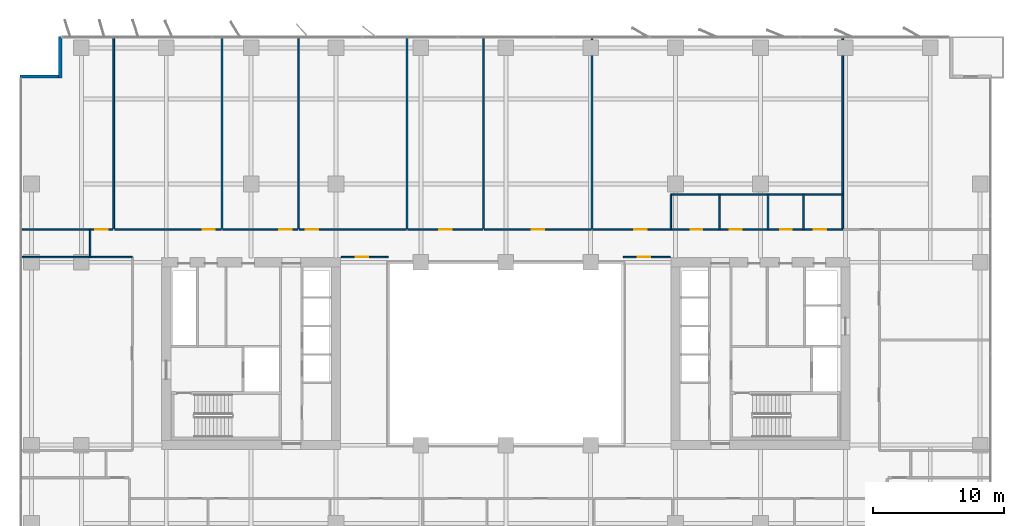
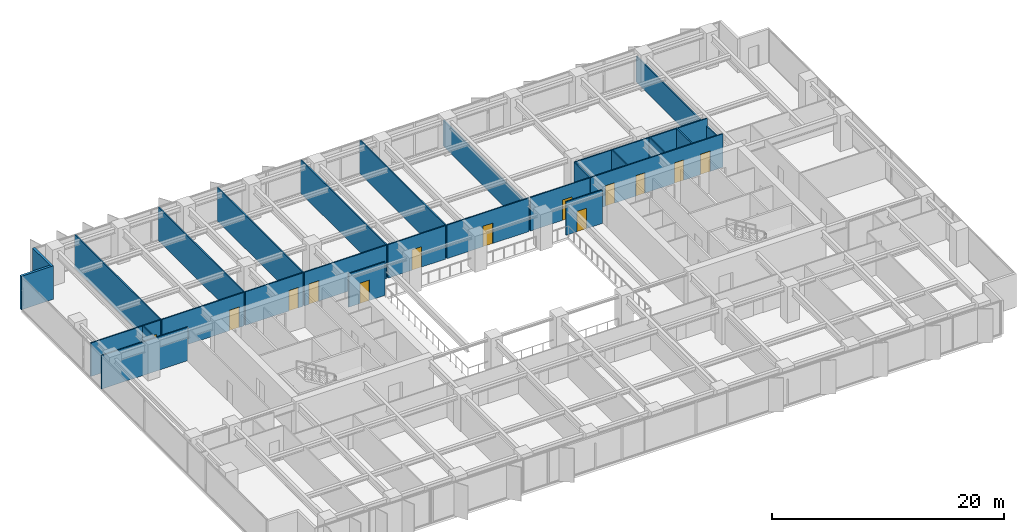
# One storey, part 15 of 20: 26 walls, 13 doors, 13 openings.
"""IFC4 building model written with IfcOpenShell, lengths in metres."""

import ifcopenshell
import ifcopenshell.guid

model = None  # the IFC model being written
_history = None  # IfcOwnerHistory: only IFC2X3 demands one
_inside = {}  # id of a spatial element -> (the spatial element, [elements in it])
_under = {}  # id of a project, library or spatial element -> (it, [spatial elements below it])
_declared = {}  # id of a project -> (the project, [libraries it declares])
_typed = {}  # id of a type object -> (the type object, [elements of that type])
_made_of = {}  # id of a material, layer set ... -> (it, [elements and type objects made of it])


def new_model(schema):
    """Start an empty IFC model of exactly this schema.

    Asked for "IFC4X3", IfcOpenShell would pick the latest addendum, in which some entities
    have other attributes; the version numbers below select the first issue.
    IFC2X3 requires an IfcOwnerHistory on every rooted entity: one is made here for all.
    """
    global model, _history
    if schema == "IFC4X3":
        model = ifcopenshell.file(schema_version=(4, 3, 0, 0))
    else:
        model = ifcopenshell.file(schema=schema)
    _inside.clear()
    _under.clear()
    _declared.clear()
    _typed.clear()
    _made_of.clear()
    _history = None
    if model.schema == "IFC2X3":
        org = make("IfcOrganization", Name="unknown")
        user = make(
            "IfcPersonAndOrganization",
            ThePerson=make("IfcPerson", FamilyName="unknown"),
            TheOrganization=org,
        )
        app = make(
            "IfcApplication",
            ApplicationDeveloper=org,
            Version="unknown",
            ApplicationFullName="unknown",
            ApplicationIdentifier="unknown",
        )
        _history = make(
            "IfcOwnerHistory",
            OwningUser=user,
            OwningApplication=app,
            ChangeAction="ADDED",
            CreationDate=0,
        )
    return model


def make(cls, **values):
    """One entity of the class cls with the attributes given. An attribute that is None is left unset."""
    return model.create_entity(
        cls, **{name: value for name, value in values.items() if value is not None}
    )


def rooted(cls, **values):
    """An entity with a GlobalId (a new one), such as an element, a storey or a relation."""
    return make(cls, GlobalId=ifcopenshell.guid.new(), OwnerHistory=_history, **values)


def si_unit(unit_type, name, prefix=None):
    """IfcSIUnit, for example si_unit("LENGTHUNIT", "METRE", prefix="MILLI")."""
    return make("IfcSIUnit", UnitType=unit_type, Prefix=prefix, Name=name)


def assignment(units):
    """IfcUnitAssignment: the units of a project."""
    return None if units is None else make("IfcUnitAssignment", Units=units)


def point(xyz):
    """IfcCartesianPoint."""
    return None if xyz is None else make("IfcCartesianPoint", Coordinates=xyz)


def direction(xyz):
    """IfcDirection."""
    return None if xyz is None else make("IfcDirection", DirectionRatios=xyz)


def frame(location, z_axis=None, x_axis=None):
    """IfcAxis2Placement3D, a coordinate frame: its origin and axes. An axis left out is left unset."""
    return make(
        "IfcAxis2Placement3D",
        Location=point(location),
        Axis=direction(z_axis),
        RefDirection=direction(x_axis),
    )


def frame_2d(location, x_axis=None):
    """IfcAxis2Placement2D, a coordinate frame in the plane: its origin and x axis."""
    return make(
        "IfcAxis2Placement2D", Location=point(location), RefDirection=direction(x_axis)
    )


def origin():
    """The frame at (0, 0, 0) with its axes left unset."""
    return frame((0.0, 0.0, 0.0))


def place(relative_to, where):
    """IfcLocalPlacement: puts the frame where relative to a parent placement (None: the world)."""
    return make(
        "IfcLocalPlacement", PlacementRelTo=relative_to, RelativePlacement=where
    )


def context(
    kind, dimensions, precision=None, world=None, true_north=None, identifier=None
):
    """IfcGeometricRepresentationContext, for example the 3D "Model" context."""
    return make(
        "IfcGeometricRepresentationContext",
        ContextIdentifier=identifier,
        ContextType=kind,
        CoordinateSpaceDimension=dimensions,
        Precision=precision,
        WorldCoordinateSystem=world,
        TrueNorth=true_north,
    )


def subcontext(parent, identifier, kind, view, scale=None):
    """IfcGeometricRepresentationSubContext, for example "Body" below "Model"."""
    return make(
        "IfcGeometricRepresentationSubContext",
        ContextIdentifier=identifier,
        ContextType=kind,
        ParentContext=parent,
        TargetScale=scale,
        TargetView=view,
    )


def project(units=None, contexts=None):
    """IfcProject with its units and contexts."""
    return rooted(
        "IfcProject",
        Name="project",
        RepresentationContexts=contexts,
        UnitsInContext=assignment(units),
    )


def spatial(cls, under=None, at=None, **own):
    """A site, building, storey or space (cls), placed at a placement, below another one or the project."""
    s = rooted(cls, ObjectPlacement=at, **own)
    if under is not None:
        _under.setdefault(under.id(), (under, []))[1].append(s)
    return s


def profile(cls, at=None, kind="AREA", **sizes):
    """A parametric profile (cls). Its sizes go by their IFC names, for example OverallWidth=200.0."""
    return make(cls, ProfileType=kind, Position=at, **sizes)


def rectangle(**sizes):
    """IfcRectangleProfileDef."""
    return profile("IfcRectangleProfileDef", **sizes)


def extrude(swept, where, along, depth):
    """IfcExtrudedAreaSolid: the profile swept, set in the frame where, extruded along a direction by depth."""
    return make(
        "IfcExtrudedAreaSolid",
        SweptArea=swept,
        Position=where,
        ExtrudedDirection=direction(along),
        Depth=depth,
    )


def shape(context_of_items, identifier, shape_type, items):
    """IfcShapeRepresentation: the items that make up one representation, for example the "Body"."""
    return make(
        "IfcShapeRepresentation",
        ContextOfItems=context_of_items,
        RepresentationIdentifier=identifier,
        RepresentationType=shape_type,
        Items=items,
    )


def material(Name=None, Category=None):
    """IfcMaterial."""
    return make("IfcMaterial", Name=Name, Category=Category)


def layer(
    of_material, thickness, ventilated=None, Name=None, Category=None, Priority=None
):
    """IfcMaterialLayer: one layer of a wall or slab, of a material (None: an air gap)."""
    return make(
        "IfcMaterialLayer",
        Material=of_material,
        LayerThickness=thickness,
        IsVentilated=ventilated,
        Name=Name,
        Category=Category,
        Priority=Priority,
    )


def layer_set(layers, Name=None):
    """IfcMaterialLayerSet."""
    return make("IfcMaterialLayerSet", MaterialLayers=layers, LayerSetName=Name)


def made_of(thing, what):
    """Note that an element or type object is made of a material, layer set ...; save() writes the relation."""
    if what is not None:
        _made_of.setdefault(what.id(), (what, []))[1].append(thing)
    return thing


def type_object(cls, material=None, **own):
    """A type object (cls), such as IfcWallType, which elements share."""
    return made_of(rooted(cls, **own), material)


def element(
    cls,
    number,
    at=None,
    inside=None,
    cuts=None,
    type_object=None,
    material=None,
    context=None,
    identifier="Body",
    shape_type=None,
    held_by="IfcProductDefinitionShape",
    body=None,
    shapes=None,
    **own,
):
    """One element of the class cls, such as IfcWall. Its Tag is "e" and its number.

    at: its placement. inside: the storey or other place that contains it. cuts: it is an
    opening in that element (IfcRelVoidsElement). A single representation is given by context,
    identifier, shape_type and body (its items); several are given by shapes. held_by: the class
    of the entity that holds the representations. save() writes the other relations.
    """
    e = rooted(cls, Tag="e%d" % number, ObjectPlacement=at, **own)
    if body is not None:
        shapes = [shape(context, identifier, shape_type, body)]
    if shapes is not None:
        e.Representation = make(held_by, Representations=shapes)
    if inside is not None:
        _inside.setdefault(inside.id(), (inside, []))[1].append(e)
    if cuts is not None:
        rooted(
            "IfcRelVoidsElement", RelatingBuildingElement=cuts, RelatedOpeningElement=e
        )
    if type_object is not None:
        _typed.setdefault(type_object.id(), (type_object, []))[1].append(e)
    return made_of(e, material)


def fill(opening, filler):
    """IfcRelFillsElement: the door or window that sits in an opening."""
    return rooted(
        "IfcRelFillsElement",
        RelatingOpeningElement=opening,
        RelatedBuildingElement=filler,
    )


def aggregate(whole, parts):
    """IfcRelAggregates: a whole, such as a stair, and the parts it consists of."""
    return rooted("IfcRelAggregates", RelatingObject=whole, RelatedObjects=parts)


def save(model, path):
    """Write the relations noted so far, then the file.

    IfcRelAggregates (storeys below a building ...), IfcRelContainedInSpatialStructure (elements
    in a storey), IfcRelDefinesByType, IfcRelAssociatesMaterial and IfcRelDeclares: one each for
    every whole, place, type object, material and project.
    """
    for whole, parts in _under.values():
        aggregate(whole, parts)
    for where, things in _inside.values():
        rooted(
            "IfcRelContainedInSpatialStructure",
            RelatedElements=things,
            RelatingStructure=where,
        )
    for kind, things in _typed.values():
        rooted("IfcRelDefinesByType", RelatedObjects=things, RelatingType=kind)
    for what, things in _made_of.values():
        rooted("IfcRelAssociatesMaterial", RelatedObjects=things, RelatingMaterial=what)
    for by, libraries in _declared.values():
        rooted("IfcRelDeclares", RelatingContext=by, RelatedDefinitions=libraries)
    model.write(path)


model = new_model("IFC4")

# Units and contexts
model_context = context("Model", 3, precision=1e-05, world=origin(), true_north=direction((0.0, 1.0)))
body_context = subcontext(model_context, "Body", "Model", "MODEL_VIEW")
ifc_project = project(units=[si_unit("LENGTHUNIT", "METRE"), si_unit("AREAUNIT", "SQUARE_METRE"), si_unit("VOLUMEUNIT", "CUBIC_METRE"), si_unit("PLANEANGLEUNIT", "RADIAN"), si_unit("MASSUNIT", "GRAM", prefix="KILO")], contexts=[model_context])

# Site, building, storey
site_placement = place(None, origin())
site = spatial("IfcSite", under=ifc_project, at=site_placement, CompositionType="ELEMENT")
building_placement = place(site_placement, origin())
building = spatial("IfcBuilding", under=site, at=building_placement, Name="Putna Gate Headquarters", CompositionType="ELEMENT")
storey_placement = place(building_placement, frame((0.0, 0.0, 135.39990234375)))
storey = spatial("IfcBuildingStorey", under=building, at=storey_placement, Name="L33", CompositionType="ELEMENT", Elevation=135.39990234375)

# Walls
ifc_material_1 = material(Name="Precast concrete C40/50", Category="concrete")
ifc_layer_1 = layer(ifc_material_1, 0.239990234375)
ifc_layer_set_1 = layer_set([ifc_layer_1], Name="Precast concrete C40/50")
wall_type_1 = type_object("IfcWallType", Name="WALL-EXT-TERR-240", PredefinedType="STANDARD", material=ifc_layer_set_1)
for number, where, z_axis, x_axis, name in (
    (1, (4.8798828125, 47.10009765625, 0.0), (0.0, 0.0, 1.0), (0.0, 1.0, 0.0), "L33 Corner Notch Return Wall NW-V"),
    (2, (1.800048828125, 47.219970703125, 0.0), (0.0, 0.0, 1.0), (1.0, 0.0, 0.0), "L33 Corner Notch Return Wall NW-H"),
):
    element("IfcWall", number, at=place(storey_placement, frame(where, z_axis=z_axis, x_axis=x_axis)), inside=storey, type_object=wall_type_1, Name=name, PredefinedType="STANDARD", context=body_context, shape_type="SweptSolid", body=[
        extrude(rectangle(XDim=3.199951171875, YDim=0.239990234375, at=frame_2d((1.60009765625, 0.0))), origin(), (0.0, 0.0, 1.0), 3.52001953125),
    ])

# Wall, opening, door
ifc_material_2 = material(Name="Acoustic gypsum board on metal stud")
ifc_layer_2 = layer(ifc_material_2, 0.1201171875)
ifc_layer_set_2 = layer_set([ifc_layer_2], Name="Acoustic gypsum board on metal stud")
wall_type_2 = type_object("IfcWallType", Name="WALL-PART-120", PredefinedType="PARTITIONING", material=ifc_layer_set_2)
wall_1_placement = place(storey_placement, frame((26.39990234375, 33.39990234375, 0.0), z_axis=(0.0, 0.0, 1.0), x_axis=(1.0, 0.0, 0.0)))
wall_1 = element("IfcWall", 3, at=wall_1_placement, inside=storey, type_object=wall_type_2, Name="L33 Interior Wall PART-L33-ATR-W-N", PredefinedType="PARTITIONING", context=body_context, shape_type="SweptSolid", body=[
    extrude(rectangle(XDim=3.60009765625, YDim=0.1201171875, at=frame_2d((1.800048828125, 0.0))), origin(), (0.0, 0.0, 1.0), 3.52001953125),
])
opening_1_placement = place(wall_1_placement, frame((1.10009765625, 0.0, 0.0)))
opening_1 = element("IfcOpeningElement", 4, at=opening_1_placement, cuts=wall_1, Name="Opening ID-95", PredefinedType="OPENING", context=body_context, shape_type="SweptSolid", body=[
    extrude(rectangle(XDim=0.949951171875, YDim=2.14990234375, at=frame_2d((0.47509765625, 1.074951171875))), frame((0.0, 0.070068359375, 0.0), z_axis=(0.0, -1.0, 0.0), x_axis=(1.0, 0.0, 0.0)), (0.0, 0.0, 1.0), 0.14013671875),
])
ifc_material_3 = material(Name="Veneered acoustic timber door", Category="wood")
door_type_1 = type_object("IfcDoorType", Name="DOOR-OFF-950", OperationType="NOTDEFINED", PredefinedType="DOOR", material=ifc_material_3)
door_1_placement = place(opening_1_placement, origin())
door_1 = element("IfcDoor", 5, at=door_1_placement, inside=storey, type_object=door_type_1, Name="L33 West Atrium Lounge Door", OperationType="SINGLE_SWING_LEFT", OverallHeight=2.14990234375, OverallWidth=0.949951171875, PredefinedType="DOOR", context=body_context, shape_type="SweptSolid", body=[
    extrude(rectangle(XDim=0.949951171875, YDim=2.14990234375, at=frame_2d((0.47509765625, 1.074951171875))), frame((0.0, 0.02490234375, 0.0), z_axis=(0.0, -1.0, 0.0), x_axis=(1.0, 0.0, 0.0)), (0.0, 0.0, 1.0), 0.050048828125),
])
fill(opening_1, door_1)

wall_2_placement = place(storey_placement, frame((48.0, 33.39990234375, 0.0), z_axis=(0.0, 0.0, 1.0), x_axis=(1.0, 0.0, 0.0)))
wall_2 = element("IfcWall", 6, at=wall_2_placement, inside=storey, type_object=wall_type_2, Name="L33 Interior Wall PART-L33-ATR-E-N", PredefinedType="PARTITIONING", context=body_context, shape_type="SweptSolid", body=[
    extrude(rectangle(XDim=3.60009765625, YDim=0.1201171875, at=frame_2d((1.800048828125, 0.0))), origin(), (0.0, 0.0, 1.0), 3.52001953125),
])
opening_2_placement = place(wall_2_placement, frame((1.10009765625, 0.0, 0.0)))
opening_2 = element("IfcOpeningElement", 7, at=opening_2_placement, cuts=wall_2, Name="Opening ID-95", PredefinedType="OPENING", context=body_context, shape_type="SweptSolid", body=[
    extrude(rectangle(XDim=0.949951171875, YDim=2.14990234375, at=frame_2d((0.47509765625, 1.074951171875))), frame((0.0, 0.070068359375, 0.0), z_axis=(0.0, -1.0, 0.0), x_axis=(1.0, 0.0, 0.0)), (0.0, 0.0, 1.0), 0.14013671875),
])
door_2_placement = place(opening_2_placement, origin())
door_2 = element("IfcDoor", 8, at=door_2_placement, inside=storey, type_object=door_type_1, Name="L33 East Atrium Lounge Door", OperationType="SINGLE_SWING_RIGHT", OverallHeight=2.14990234375, OverallWidth=0.949951171875, PredefinedType="DOOR", context=body_context, shape_type="SweptSolid", body=[
    extrude(rectangle(XDim=0.949951171875, YDim=2.14990234375, at=frame_2d((0.47509765625, 1.074951171875))), frame((0.0, 0.02490234375, 0.0), z_axis=(0.0, -1.0, 0.0), x_axis=(1.0, 0.0, 0.0)), (0.0, 0.0, 1.0), 0.050048828125),
])
fill(opening_2, door_2)

# Walls
for number, where, z_axis, x_axis, name in (
    (9, (8.9765625, 35.56005859375, 0.0), (0.0, 0.0, 1.0), (0.0, 1.0, 0.0), "L33 Interior Wall PART-L33-NB-DIV-01"),
    (10, (17.2685546875, 35.56005859375, 0.0), (0.0, 0.0, 1.0), (0.0, 1.0, 0.0), "L33 Interior Wall PART-L33-NB-DIV-02"),
    (11, (23.14208984375, 35.56005859375, 0.0), (0.0, 0.0, 1.0), (0.0, 1.0, 0.0), "L33 Interior Wall PART-L33-NB-DIV-03"),
    (12, (31.434326171875, 35.56005859375, 0.0), (0.0, 0.0, 1.0), (0.0, 1.0, 0.0), "L33 Interior Wall PART-L33-NB-DIV-04"),
    (13, (37.307861328125, 35.56005859375, 0.0), (0.0, 0.0, 1.0), (0.0, 1.0, 0.0), "L33 Interior Wall PART-L33-NB-DIV-05"),
):
    element("IfcWall", number, at=place(storey_placement, frame(where, z_axis=z_axis, x_axis=x_axis)), inside=storey, type_object=wall_type_2, Name=name, PredefinedType="PARTITIONING", context=body_context, shape_type="SweptSolid", body=[
        extrude(rectangle(XDim=14.719970703125, YDim=0.1201171875, at=frame_2d((7.35986328125, 0.0))), origin(), (0.0, 0.0, 1.0), 3.52001953125),
    ])
for number, where, z_axis, x_axis, name in (
    (14, (45.60009765625, 35.56005859375, 0.0), (0.0, 0.0, 1.0), (0.0, 1.0, 0.0), "L33 Interior Wall PART-L33-NB-DIV-06"),
    (15, (64.800048828125, 35.56005859375, 0.0), (0.0, 0.0, 1.0), (0.0, 1.0, 0.0), "L33 Interior Wall PART-L33-NB-DIV-07"),
):
    element("IfcWall", number, at=place(storey_placement, frame(where, z_axis=z_axis, x_axis=x_axis)), inside=storey, type_object=wall_type_2, Name=name, PredefinedType="PARTITIONING", context=body_context, shape_type="SweptSolid", body=[
        extrude(rectangle(XDim=14.719970703125, YDim=0.1201171875, at=frame_2d((7.35986328125, 0.0))), origin(), (0.0, 0.0, 1.0), 2.72021484375),
    ])
ifc_material_4 = material(Name="Fire-rated gypsum board on metal stud")
ifc_layer_3 = layer(ifc_material_4, 0.1201171875)
ifc_layer_set_3 = layer_set([ifc_layer_3], Name="Fire-rated gypsum board on metal stud")
wall_type_3 = type_object("IfcWallType", Name="WALL-PART-120-RATED", PredefinedType="PARTITIONING", material=ifc_layer_set_3)
wall_3_placement = place(storey_placement, frame((7.176513671875, 33.39990234375, 0.0), z_axis=(0.0, 0.0, 1.0), x_axis=(0.0, 1.0, 0.0)))
element("IfcWall", 16, at=wall_3_placement, inside=storey, type_object=wall_type_3, Name="L33 Interior Wall PART-L33-CORRN-CAPW", PredefinedType="PARTITIONING", context=body_context, shape_type="SweptSolid", body=[
    extrude(rectangle(XDim=2.10009765625, YDim=0.1201171875, at=frame_2d((1.050048828125, 0.0))), origin(), (0.0, 0.0, 1.0), 3.52001953125),
])

# Wall, openings, doors
wall_4_placement = place(storey_placement, frame((51.639892578125, 35.5, 0.0), z_axis=(0.0, 0.0, 1.0), x_axis=(1.0, 0.0, 0.0)))
wall_4 = element("IfcWall", 17, at=wall_4_placement, inside=storey, type_object=wall_type_3, Name="L33 Interior Wall PART-L33-SAN-CW", PredefinedType="PARTITIONING", context=body_context, shape_type="SweptSolid", body=[
    extrude(rectangle(XDim=13.16015625, YDim=0.1201171875, at=frame_2d((6.580078125, 0.0))), origin(), (0.0, 0.0, 1.0), 3.52001953125),
])
opening_3_placement = place(wall_4_placement, frame((1.510009765625, 0.0, 0.0)))
opening_3 = element("IfcOpeningElement", 18, at=opening_3_placement, cuts=wall_4, Name="Opening FD-90", PredefinedType="OPENING", context=body_context, shape_type="SweptSolid", body=[
    extrude(rectangle(XDim=0.89990234375, YDim=2.14990234375, at=frame_2d((0.449951171875, 1.074951171875))), frame((0.0, 0.070068359375, 0.0), z_axis=(0.0, -1.0, 0.0), x_axis=(1.0, 0.0, 0.0)), (0.0, 0.0, 1.0), 0.14013671875),
])
opening_4_placement = place(wall_4_placement, frame((4.510009765625, 0.0, 0.0)))
opening_4 = element("IfcOpeningElement", 19, at=opening_4_placement, cuts=wall_4, Name="Opening FD-90", PredefinedType="OPENING", context=body_context, shape_type="SweptSolid", body=[
    extrude(rectangle(XDim=0.89990234375, YDim=2.14990234375, at=frame_2d((0.449951171875, 1.074951171875))), frame((0.0, 0.070068359375, 0.0), z_axis=(0.0, -1.0, 0.0), x_axis=(1.0, 0.0, 0.0)), (0.0, 0.0, 1.0), 0.14013671875),
])
opening_5_placement = place(wall_4_placement, frame((8.360107421875, 0.0, 0.0)))
opening_5 = element("IfcOpeningElement", 20, at=opening_5_placement, cuts=wall_4, Name="Opening FD-90", PredefinedType="OPENING", context=body_context, shape_type="SweptSolid", body=[
    extrude(rectangle(XDim=0.89990234375, YDim=2.14990234375, at=frame_2d((0.449951171875, 1.074951171875))), frame((0.0, 0.070068359375, 0.0), z_axis=(0.0, -1.0, 0.0), x_axis=(1.0, 0.0, 0.0)), (0.0, 0.0, 1.0), 0.14013671875),
])
opening_6_placement = place(wall_4_placement, frame((10.9599609375, 0.0, 0.0)))
opening_6 = element("IfcOpeningElement", 21, at=opening_6_placement, cuts=wall_4, Name="Opening FD-95", PredefinedType="OPENING", context=body_context, shape_type="SweptSolid", body=[
    extrude(rectangle(XDim=0.949951171875, YDim=2.14990234375, at=frame_2d((0.47509765625, 1.074951171875))), frame((0.0, 0.070068359375, 0.0), z_axis=(0.0, -1.0, 0.0), x_axis=(1.0, 0.0, 0.0)), (0.0, 0.0, 1.0), 0.14013671875),
])
ifc_material_5 = material(Name="Acoustic washroom fire door")
door_type_2 = type_object("IfcDoorType", Name="DOOR-FIRE-900", OperationType="NOTDEFINED", PredefinedType="DOOR", material=ifc_material_5)
door_3_placement = place(opening_3_placement, origin())
door_3 = element("IfcDoor", 22, at=door_3_placement, inside=storey, type_object=door_type_2, Name="L33 Washroom Male Door", OperationType="SINGLE_SWING_LEFT", OverallHeight=2.14990234375, OverallWidth=0.89990234375, PredefinedType="DOOR", context=body_context, shape_type="SweptSolid", body=[
    extrude(rectangle(XDim=0.89990234375, YDim=2.14990234375, at=frame_2d((0.449951171875, 1.074951171875))), frame((0.0, 0.02490234375, 0.0), z_axis=(0.0, -1.0, 0.0), x_axis=(1.0, 0.0, 0.0)), (0.0, 0.0, 1.0), 0.050048828125),
])
fill(opening_3, door_3)
door_4_placement = place(opening_4_placement, origin())
door_4 = element("IfcDoor", 23, at=door_4_placement, inside=storey, type_object=door_type_2, Name="L33 Washroom Female Door", OperationType="SINGLE_SWING_RIGHT", OverallHeight=2.14990234375, OverallWidth=0.89990234375, PredefinedType="DOOR", context=body_context, shape_type="SweptSolid", body=[
    extrude(rectangle(XDim=0.89990234375, YDim=2.14990234375, at=frame_2d((0.449951171875, 1.074951171875))), frame((0.0, 0.02490234375, 0.0), z_axis=(0.0, -1.0, 0.0), x_axis=(1.0, 0.0, 0.0)), (0.0, 0.0, 1.0), 0.050048828125),
])
fill(opening_4, door_4)
door_5_placement = place(opening_5_placement, origin())
door_5 = element("IfcDoor", 24, at=door_5_placement, inside=storey, type_object=door_type_2, Name="L33 Accessible WC Door", OperationType="SINGLE_SWING_LEFT", OverallHeight=2.14990234375, OverallWidth=0.89990234375, PredefinedType="DOOR", context=body_context, shape_type="SweptSolid", body=[
    extrude(rectangle(XDim=0.89990234375, YDim=2.14990234375, at=frame_2d((0.449951171875, 1.074951171875))), frame((0.0, 0.02490234375, 0.0), z_axis=(0.0, -1.0, 0.0), x_axis=(1.0, 0.0, 0.0)), (0.0, 0.0, 1.0), 0.050048828125),
])
fill(opening_5, door_5)
ifc_material_6 = material(Name="Acoustic timber fire door", Category="wood")
door_type_3 = type_object("IfcDoorType", Name="DOOR-FIRE-950", OperationType="NOTDEFINED", PredefinedType="DOOR", material=ifc_material_6)
door_6_placement = place(opening_6_placement, origin())
door_6 = element("IfcDoor", 25, at=door_6_placement, inside=storey, type_object=door_type_3, Name="L33 Staff Pantry and Tea Point Door", OperationType="SINGLE_SWING_RIGHT", OverallHeight=2.14990234375, OverallWidth=0.949951171875, PredefinedType="DOOR", context=body_context, shape_type="SweptSolid", body=[
    extrude(rectangle(XDim=0.949951171875, YDim=2.14990234375, at=frame_2d((0.47509765625, 1.074951171875))), frame((0.0, 0.02490234375, 0.0), z_axis=(0.0, -1.0, 0.0), x_axis=(1.0, 0.0, 0.0)), (0.0, 0.0, 1.0), 0.050048828125),
])
fill(opening_6, door_6)

# Walls
wall_5_placement = place(storey_placement, frame((51.639892578125, 38.179931640625, 0.0), z_axis=(0.0, 0.0, 1.0), x_axis=(1.0, 0.0, 0.0)))
element("IfcWall", 26, at=wall_5_placement, inside=storey, type_object=wall_type_3, Name="L33 Interior Wall PART-L33-SAN-BACK", PredefinedType="PARTITIONING", context=body_context, shape_type="SweptSolid", body=[
    extrude(rectangle(XDim=13.16015625, YDim=0.1201171875, at=frame_2d((6.580078125, 0.0))), origin(), (0.0, 0.0, 1.0), 3.52001953125),
])
for number, where, z_axis, x_axis, name in (
    (27, (51.639892578125, 35.5, 0.0), (0.0, 0.0, 1.0), (0.0, 1.0, 0.0), "L33 Interior Wall PART-L33-SAN-DIV-1"),
    (28, (55.360107421875, 35.5, 0.0), (0.0, 0.0, 1.0), (0.0, 1.0, 0.0), "L33 Interior Wall PART-L33-SAN-DIV-2"),
    (29, (59.080078125, 35.5, 0.0), (0.0, 0.0, 1.0), (0.0, 1.0, 0.0), "L33 Interior Wall PART-L33-SAN-DIV-3"),
    (30, (61.800048828125, 35.5, 0.0), (0.0, 0.0, 1.0), (0.0, 1.0, 0.0), "L33 Interior Wall PART-L33-SAN-DIV-4"),
):
    element("IfcWall", number, at=place(storey_placement, frame(where, z_axis=z_axis, x_axis=x_axis)), inside=storey, type_object=wall_type_3, Name=name, PredefinedType="PARTITIONING", context=body_context, shape_type="SweptSolid", body=[
        extrude(rectangle(XDim=2.679931640625, YDim=0.1201171875, at=frame_2d((1.33984375, 0.0))), origin(), (0.0, 0.0, 1.0), 3.52001953125),
    ])

# Wall, opening, door
wall_6_placement = place(storey_placement, frame((1.97998046875, 35.5, 0.0), z_axis=(0.0, 0.0, 1.0), x_axis=(1.0, 0.0, 0.0)))
wall_6 = element("IfcWall", 31, at=wall_6_placement, inside=storey, type_object=wall_type_3, Name="L33 Interior Wall PART-L33-NB-CW-01", PredefinedType="PARTITIONING", context=body_context, shape_type="SweptSolid", body=[
    extrude(rectangle(XDim=6.9365234375, YDim=0.1201171875, at=frame_2d((3.46826171875, 0.0))), origin(), (0.0, 0.0, 1.0), 3.52001953125),
])
opening_7_placement = place(wall_6_placement, frame((5.591552734375, 0.0, 0.0)))
opening_7 = element("IfcOpeningElement", 32, at=opening_7_placement, cuts=wall_6, Name="Opening FD-95", PredefinedType="OPENING", context=body_context, shape_type="SweptSolid", body=[
    extrude(rectangle(XDim=0.949951171875, YDim=2.14990234375, at=frame_2d((0.47509765625, 1.074951171875))), frame((0.0, 0.070068359375, 0.0), z_axis=(0.0, -1.0, 0.0), x_axis=(1.0, 0.0, 0.0)), (0.0, 0.0, 1.0), 0.14013671875),
])
door_7_placement = place(opening_7_placement, origin())
door_7 = element("IfcDoor", 33, at=door_7_placement, inside=storey, type_object=door_type_3, Name="L33 Conference Meeting Room 7 Door", OperationType="SINGLE_SWING_LEFT", OverallHeight=2.14990234375, OverallWidth=0.949951171875, PredefinedType="DOOR", context=body_context, shape_type="SweptSolid", body=[
    extrude(rectangle(XDim=0.949951171875, YDim=2.14990234375, at=frame_2d((0.47509765625, 1.074951171875))), frame((0.0, 0.02490234375, 0.0), z_axis=(0.0, -1.0, 0.0), x_axis=(1.0, 0.0, 0.0)), (0.0, 0.0, 1.0), 0.050048828125),
])
fill(opening_7, door_7)

wall_7_placement = place(storey_placement, frame((9.03662109375, 35.5, 0.0), z_axis=(0.0, 0.0, 1.0), x_axis=(1.0, 0.0, 0.0)))
wall_7 = element("IfcWall", 34, at=wall_7_placement, inside=storey, type_object=wall_type_3, Name="L33 Interior Wall PART-L33-NB-CW-02", PredefinedType="PARTITIONING", context=body_context, shape_type="SweptSolid", body=[
    extrude(rectangle(XDim=8.171875, YDim=0.1201171875, at=frame_2d((4.0859375, 0.0))), origin(), (0.0, 0.0, 1.0), 3.52001953125),
])
opening_8_placement = place(wall_7_placement, frame((6.7421875, 0.0, 0.0)))
opening_8 = element("IfcOpeningElement", 35, at=opening_8_placement, cuts=wall_7, Name="Opening FD-95", PredefinedType="OPENING", context=body_context, shape_type="SweptSolid", body=[
    extrude(rectangle(XDim=0.949951171875, YDim=2.14990234375, at=frame_2d((0.47509765625, 1.074951171875))), frame((0.0, 0.070068359375, 0.0), z_axis=(0.0, -1.0, 0.0), x_axis=(1.0, 0.0, 0.0)), (0.0, 0.0, 1.0), 0.14013671875),
])
door_8_placement = place(opening_8_placement, origin())
door_8 = element("IfcDoor", 36, at=door_8_placement, inside=storey, type_object=door_type_3, Name="L33 Quiet Wellness Focus Studio 1 Door", OperationType="SINGLE_SWING_RIGHT", OverallHeight=2.14990234375, OverallWidth=0.949951171875, PredefinedType="DOOR", context=body_context, shape_type="SweptSolid", body=[
    extrude(rectangle(XDim=0.949951171875, YDim=2.14990234375, at=frame_2d((0.47509765625, 1.074951171875))), frame((0.0, 0.02490234375, 0.0), z_axis=(0.0, -1.0, 0.0), x_axis=(1.0, 0.0, 0.0)), (0.0, 0.0, 1.0), 0.050048828125),
])
fill(opening_8, door_8)

wall_8_placement = place(storey_placement, frame((17.32861328125, 35.5, 0.0), z_axis=(0.0, 0.0, 1.0), x_axis=(1.0, 0.0, 0.0)))
wall_8 = element("IfcWall", 37, at=wall_8_placement, inside=storey, type_object=wall_type_3, Name="L33 Interior Wall PART-L33-NB-CW-03", PredefinedType="PARTITIONING", context=body_context, shape_type="SweptSolid", body=[
    extrude(rectangle(XDim=5.753662109375, YDim=0.1201171875, at=frame_2d((2.876953125, 0.0))), origin(), (0.0, 0.0, 1.0), 3.52001953125),
])
opening_9_placement = place(wall_8_placement, frame((4.323486328125, 0.0, 0.0)))
opening_9 = element("IfcOpeningElement", 38, at=opening_9_placement, cuts=wall_8, Name="Opening FD-95", PredefinedType="OPENING", context=body_context, shape_type="SweptSolid", body=[
    extrude(rectangle(XDim=0.949951171875, YDim=2.14990234375, at=frame_2d((0.47509765625, 1.074951171875))), frame((0.0, 0.070068359375, 0.0), z_axis=(0.0, -1.0, 0.0), x_axis=(1.0, 0.0, 0.0)), (0.0, 0.0, 1.0), 0.14013671875),
])
door_9_placement = place(opening_9_placement, origin())
door_9 = element("IfcDoor", 39, at=door_9_placement, inside=storey, type_object=door_type_3, Name="L33 Quiet Wellness Focus Studio 2 Door", OperationType="SINGLE_SWING_LEFT", OverallHeight=2.14990234375, OverallWidth=0.949951171875, PredefinedType="DOOR", context=body_context, shape_type="SweptSolid", body=[
    extrude(rectangle(XDim=0.949951171875, YDim=2.14990234375, at=frame_2d((0.47509765625, 1.074951171875))), frame((0.0, 0.02490234375, 0.0), z_axis=(0.0, -1.0, 0.0), x_axis=(1.0, 0.0, 0.0)), (0.0, 0.0, 1.0), 0.050048828125),
])
fill(opening_9, door_9)

wall_9_placement = place(storey_placement, frame((23.2021484375, 35.5, 0.0), z_axis=(0.0, 0.0, 1.0), x_axis=(1.0, 0.0, 0.0)))
wall_9 = element("IfcWall", 40, at=wall_9_placement, inside=storey, type_object=wall_type_3, Name="L33 Interior Wall PART-L33-NB-CW-04", PredefinedType="PARTITIONING", context=body_context, shape_type="SweptSolid", body=[
    extrude(rectangle(XDim=8.172119140625, YDim=0.1201171875, at=frame_2d((4.0859375, 0.0))), origin(), (0.0, 0.0, 1.0), 3.52001953125),
])
opening_10_placement = place(wall_9_placement, frame((0.47998046875, 0.0, 0.0)))
opening_10 = element("IfcOpeningElement", 41, at=opening_10_placement, cuts=wall_9, Name="Opening FD-95", PredefinedType="OPENING", context=body_context, shape_type="SweptSolid", body=[
    extrude(rectangle(XDim=0.949951171875, YDim=2.14990234375, at=frame_2d((0.47509765625, 1.074951171875))), frame((0.0, 0.070068359375, 0.0), z_axis=(0.0, -1.0, 0.0), x_axis=(1.0, 0.0, 0.0)), (0.0, 0.0, 1.0), 0.14013671875),
])
door_10_placement = place(opening_10_placement, origin())
door_10 = element("IfcDoor", 42, at=door_10_placement, inside=storey, type_object=door_type_3, Name="L33 Quiet Wellness Focus Studio 3 Door", OperationType="SINGLE_SWING_RIGHT", OverallHeight=2.14990234375, OverallWidth=0.949951171875, PredefinedType="DOOR", context=body_context, shape_type="SweptSolid", body=[
    extrude(rectangle(XDim=0.949951171875, YDim=2.14990234375, at=frame_2d((0.47509765625, 1.074951171875))), frame((0.0, 0.02490234375, 0.0), z_axis=(0.0, -1.0, 0.0), x_axis=(1.0, 0.0, 0.0)), (0.0, 0.0, 1.0), 0.050048828125),
])
fill(opening_10, door_10)

wall_10_placement = place(storey_placement, frame((31.494384765625, 35.5, 0.0), z_axis=(0.0, 0.0, 1.0), x_axis=(1.0, 0.0, 0.0)))
wall_10 = element("IfcWall", 43, at=wall_10_placement, inside=storey, type_object=wall_type_3, Name="L33 Interior Wall PART-L33-NB-CW-05", PredefinedType="PARTITIONING", context=body_context, shape_type="SweptSolid", body=[
    extrude(rectangle(XDim=5.75341796875, YDim=0.1201171875, at=frame_2d((2.876708984375, 0.0))), origin(), (0.0, 0.0, 1.0), 3.52001953125),
])
opening_11_placement = place(wall_10_placement, frame((2.40185546875, 0.0, 0.0)))
opening_11 = element("IfcOpeningElement", 44, at=opening_11_placement, cuts=wall_10, Name="Opening FD-95", PredefinedType="OPENING", context=body_context, shape_type="SweptSolid", body=[
    extrude(rectangle(XDim=0.949951171875, YDim=2.14990234375, at=frame_2d((0.47509765625, 1.074951171875))), frame((0.0, 0.070068359375, 0.0), z_axis=(0.0, -1.0, 0.0), x_axis=(1.0, 0.0, 0.0)), (0.0, 0.0, 1.0), 0.14013671875),
])
door_11_placement = place(opening_11_placement, origin())
door_11 = element("IfcDoor", 45, at=door_11_placement, inside=storey, type_object=door_type_3, Name="L33 Cellular Office 1 Door", OperationType="SINGLE_SWING_LEFT", OverallHeight=2.14990234375, OverallWidth=0.949951171875, PredefinedType="DOOR", context=body_context, shape_type="SweptSolid", body=[
    extrude(rectangle(XDim=0.949951171875, YDim=2.14990234375, at=frame_2d((0.47509765625, 1.074951171875))), frame((0.0, 0.02490234375, 0.0), z_axis=(0.0, -1.0, 0.0), x_axis=(1.0, 0.0, 0.0)), (0.0, 0.0, 1.0), 0.050048828125),
])
fill(opening_11, door_11)

wall_11_placement = place(storey_placement, frame((37.367919921875, 35.5, 0.0), z_axis=(0.0, 0.0, 1.0), x_axis=(1.0, 0.0, 0.0)))
wall_11 = element("IfcWall", 46, at=wall_11_placement, inside=storey, type_object=wall_type_3, Name="L33 Interior Wall PART-L33-NB-CW-06", PredefinedType="PARTITIONING", context=body_context, shape_type="SweptSolid", body=[
    extrude(rectangle(XDim=8.172119140625, YDim=0.1201171875, at=frame_2d((4.0859375, 0.0))), origin(), (0.0, 0.0, 1.0), 3.52001953125),
])
opening_12_placement = place(wall_11_placement, frame((3.611083984375, 0.0, 0.0)))
opening_12 = element("IfcOpeningElement", 47, at=opening_12_placement, cuts=wall_11, Name="Opening FD-95", PredefinedType="OPENING", context=body_context, shape_type="SweptSolid", body=[
    extrude(rectangle(XDim=0.949951171875, YDim=2.14990234375, at=frame_2d((0.47509765625, 1.074951171875))), frame((0.0, 0.070068359375, 0.0), z_axis=(0.0, -1.0, 0.0), x_axis=(1.0, 0.0, 0.0)), (0.0, 0.0, 1.0), 0.14013671875),
])
door_12_placement = place(opening_12_placement, origin())
door_12 = element("IfcDoor", 48, at=door_12_placement, inside=storey, type_object=door_type_3, Name="L33 Cellular Office 2 Door", OperationType="SINGLE_SWING_RIGHT", OverallHeight=2.14990234375, OverallWidth=0.949951171875, PredefinedType="DOOR", context=body_context, shape_type="SweptSolid", body=[
    extrude(rectangle(XDim=0.949951171875, YDim=2.14990234375, at=frame_2d((0.47509765625, 1.074951171875))), frame((0.0, 0.02490234375, 0.0), z_axis=(0.0, -1.0, 0.0), x_axis=(1.0, 0.0, 0.0)), (0.0, 0.0, 1.0), 0.050048828125),
])
fill(opening_12, door_12)

wall_12_placement = place(storey_placement, frame((45.659912109375, 35.5, 0.0), z_axis=(0.0, 0.0, 1.0), x_axis=(1.0, 0.0, 0.0)))
wall_12 = element("IfcWall", 49, at=wall_12_placement, inside=storey, type_object=wall_type_3, Name="L33 Interior Wall PART-L33-NB-CW-07", PredefinedType="PARTITIONING", context=body_context, shape_type="SweptSolid", body=[
    extrude(rectangle(XDim=5.920166015625, YDim=0.1201171875, at=frame_2d((2.9599609375, 0.0))), origin(), (0.0, 0.0, 1.0), 3.52001953125),
])
opening_13_placement = place(wall_12_placement, frame((3.194091796875, 0.0, 0.0)))
opening_13 = element("IfcOpeningElement", 50, at=opening_13_placement, cuts=wall_12, Name="Opening FD-95", PredefinedType="OPENING", context=body_context, shape_type="SweptSolid", body=[
    extrude(rectangle(XDim=0.949951171875, YDim=2.14990234375, at=frame_2d((0.47509765625, 1.074951171875))), frame((0.0, 0.070068359375, 0.0), z_axis=(0.0, -1.0, 0.0), x_axis=(1.0, 0.0, 0.0)), (0.0, 0.0, 1.0), 0.14013671875),
])
door_13_placement = place(opening_13_placement, origin())
door_13 = element("IfcDoor", 51, at=door_13_placement, inside=storey, type_object=door_type_3, Name="L33 Primary Open Office Workplace Door", OperationType="SINGLE_SWING_LEFT", OverallHeight=2.14990234375, OverallWidth=0.949951171875, PredefinedType="DOOR", context=body_context, shape_type="SweptSolid", body=[
    extrude(rectangle(XDim=0.949951171875, YDim=2.14990234375, at=frame_2d((0.47509765625, 1.074951171875))), frame((0.0, 0.02490234375, 0.0), z_axis=(0.0, -1.0, 0.0), x_axis=(1.0, 0.0, 0.0)), (0.0, 0.0, 1.0), 0.050048828125),
])
fill(opening_13, door_13)

# Wall
wall_13_placement = place(storey_placement, frame((1.820068359375, 33.39990234375, 0.0), z_axis=(0.0, 0.0, 1.0), x_axis=(1.0, 0.0, 0.0)))
element("IfcWall", 52, at=wall_13_placement, inside=storey, type_object=wall_type_3, Name="L33 Interior Wall PART-L33-WW-N-BOUND", PredefinedType="PARTITIONING", context=body_context, shape_type="SweptSolid", body=[
    extrude(rectangle(XDim=8.579833984375, YDim=0.1201171875, at=frame_2d((4.2900390625, 0.0))), origin(), (0.0, 0.0, 1.0), 3.52001953125),
])

save(model, "model.ifc")
